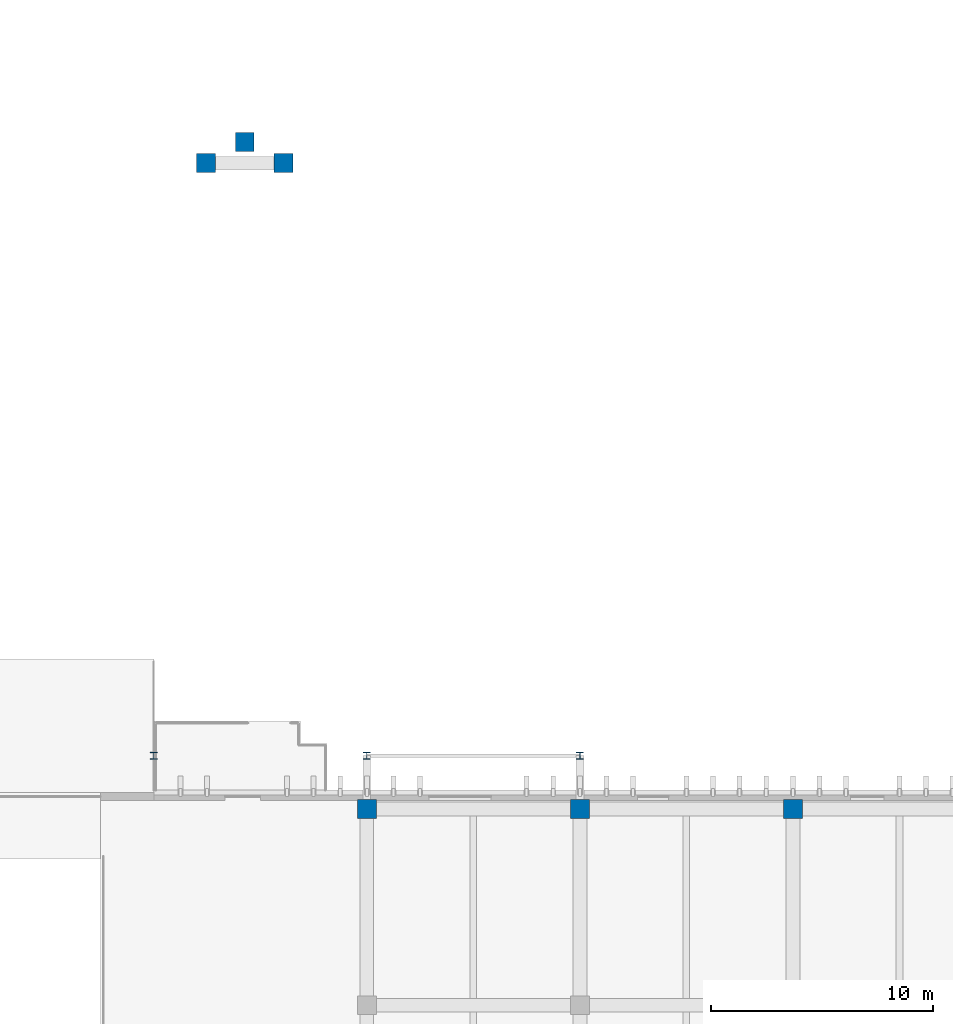
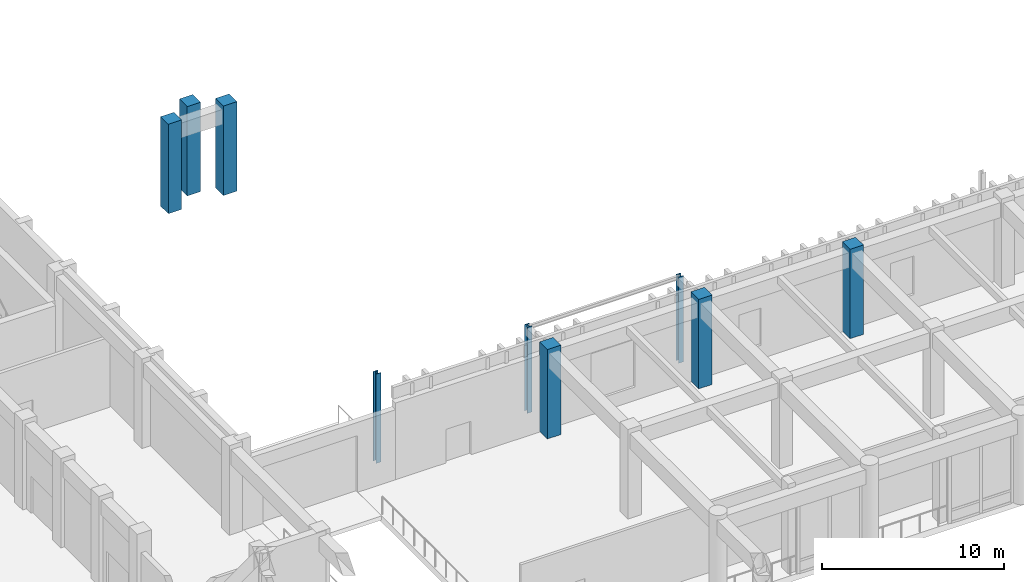
# One storey, part 5 of 87: 9 columns.
"""IFC4 building model written with IfcOpenShell, lengths in metres."""

from ifc_helpers import new_model, si_unit, direction, frame, origin, origin_2d, place, context, subcontext, project, spatial, rectangle, i_section, extrude, material, material_profile, profile_set, type_object, element, save


model = new_model("IFC4")

# Units and contexts
model_context = context("Model", 3, precision=1e-05, world=origin(), true_north=direction((0.0, 1.0)))
body_context = subcontext(model_context, "Body", "Model", "MODEL_VIEW")
ifc_project = project(units=[si_unit("LENGTHUNIT", "METRE"), si_unit("AREAUNIT", "SQUARE_METRE"), si_unit("VOLUMEUNIT", "CUBIC_METRE"), si_unit("PLANEANGLEUNIT", "RADIAN"), si_unit("MASSUNIT", "GRAM", prefix="KILO")], contexts=[model_context])

# Site, building, storey
site_placement = place(None, origin())
site = spatial("IfcSite", under=ifc_project, at=site_placement, CompositionType="ELEMENT")
building_placement = place(site_placement, origin())
building = spatial("IfcBuilding", under=site, at=building_placement, Name="Nakhvara Creek Congress Hotel", CompositionType="ELEMENT")
storey_placement = place(building_placement, origin())
storey = spatial("IfcBuildingStorey", under=building, at=storey_placement, Name="L00", CompositionType="ELEMENT", Elevation=0.0)

# Columns
ifc_material_1 = material(Name="Concrete C50/60", Category="concrete")
ifc_material_profile_1 = material_profile(ifc_material_1, rectangle(XDim=0.85009765625, YDim=0.85009765625, at=origin_2d()), Name="RC-COL 850x850", Category="LoadBearing")
ifc_profile_set_1 = profile_set([ifc_material_profile_1], Name="Concrete C50/60")
column_type_1 = type_object("IfcColumnType", Name="COL-RC-850", PredefinedType="COLUMN", material=ifc_profile_set_1)
for number, where, z_axis, x_axis, name in (
    (1, (76.800048828125, 95.25, 0.0), (0.0, 0.0, 1.0), (1.0, 0.0, 0.0), "Column C18-L00-0672"),
    (2, (86.39990234375, 95.25, 0.0), (0.0, 0.0, 1.0), (1.0, 0.0, 0.0), "Column C18-L00-0680"),
    (3, (96.0, 95.25, 0.0), (0.0, 0.0, 1.0), (1.0, 0.0, 0.0), "Column C18-L00-0688"),
    (4, (69.550048828125, 124.35009765625, 0.0), (0.0, 0.0, 1.0), (1.0, 0.0, 0.0), "Column C18-L00-0812"),
    (5, (73.050048828125, 124.35009765625, 0.0), (0.0, 0.0, 1.0), (1.0, 0.0, 0.0), "Column C18-L00-0813"),
    (6, (71.300048828125, 125.300048828125, 0.0), (0.0, 0.0, 1.0), (1.0, 0.0, 0.0), "Column C18-L00-0814"),
):
    element("IfcColumn", number, at=place(storey_placement, frame(where, z_axis=z_axis, x_axis=x_axis)), inside=storey, type_object=column_type_1, Name=name, PredefinedType="COLUMN", context=body_context, shape_type="SweptSolid", body=[
        extrude(rectangle(XDim=0.85009765625, YDim=0.85009765625, at=origin_2d()), origin(), (0.0, 0.0, 1.0), 6.0),
    ])
ifc_material_2 = material(Name="Steel S355J2", Category="steel")
ifc_material_profile_2 = material_profile(ifc_material_2, i_section(OverallWidth=0.307373046875, OverallDepth=0.314453125, WebThickness=0.011962890625, FlangeThickness=0.018798828125, FilletRadius=0.01513671875, at=origin_2d()), Name="UC 305x305x118", Category="LoadBearing")
ifc_profile_set_2 = profile_set([ifc_material_profile_2], Name="Steel S355J2")
column_type_2 = type_object("IfcColumnType", Name="COL-ST-UC305", PredefinedType="COLUMN", material=ifc_profile_set_2)
for number, where, z_axis, x_axis, name in (
    (7, (76.800048828125, 97.64990234375, 0.0), (0.0, 0.0, 1.0), (1.0, 0.0, 0.0), "Column CS2-L00-0740"),
    (8, (86.39990234375, 97.64990234375, 0.0), (0.0, 0.0, 1.0), (1.0, 0.0, 0.0), "Column CS2-L00-0741"),
):
    element("IfcColumn", number, at=place(storey_placement, frame(where, z_axis=z_axis, x_axis=x_axis)), inside=storey, type_object=column_type_2, Name=name, PredefinedType="COLUMN", context=body_context, shape_type="SweptSolid", body=[
        extrude(i_section(OverallWidth=0.307373046875, OverallDepth=0.314453125, WebThickness=0.011962890625, FlangeThickness=0.018798828125, FilletRadius=0.01513671875, at=origin_2d()), origin(), (0.0, 0.0, 1.0), 5.780029296875),
    ])
column_placement = place(storey_placement, frame((67.199951171875, 97.64990234375, 0.0), z_axis=(0.0, 0.0, 1.0), x_axis=(1.0, 0.0, 0.0)))
element("IfcColumn", 9, at=column_placement, inside=storey, type_object=column_type_2, Name="Column CS2-L00-0752", PredefinedType="COLUMN", context=body_context, shape_type="SweptSolid", body=[
    extrude(i_section(OverallWidth=0.307373046875, OverallDepth=0.314453125, WebThickness=0.011962890625, FlangeThickness=0.018798828125, FilletRadius=0.01513671875, at=origin_2d()), origin(), (0.0, 0.0, 1.0), 6.0),
])

save(model, "model.ifc")
